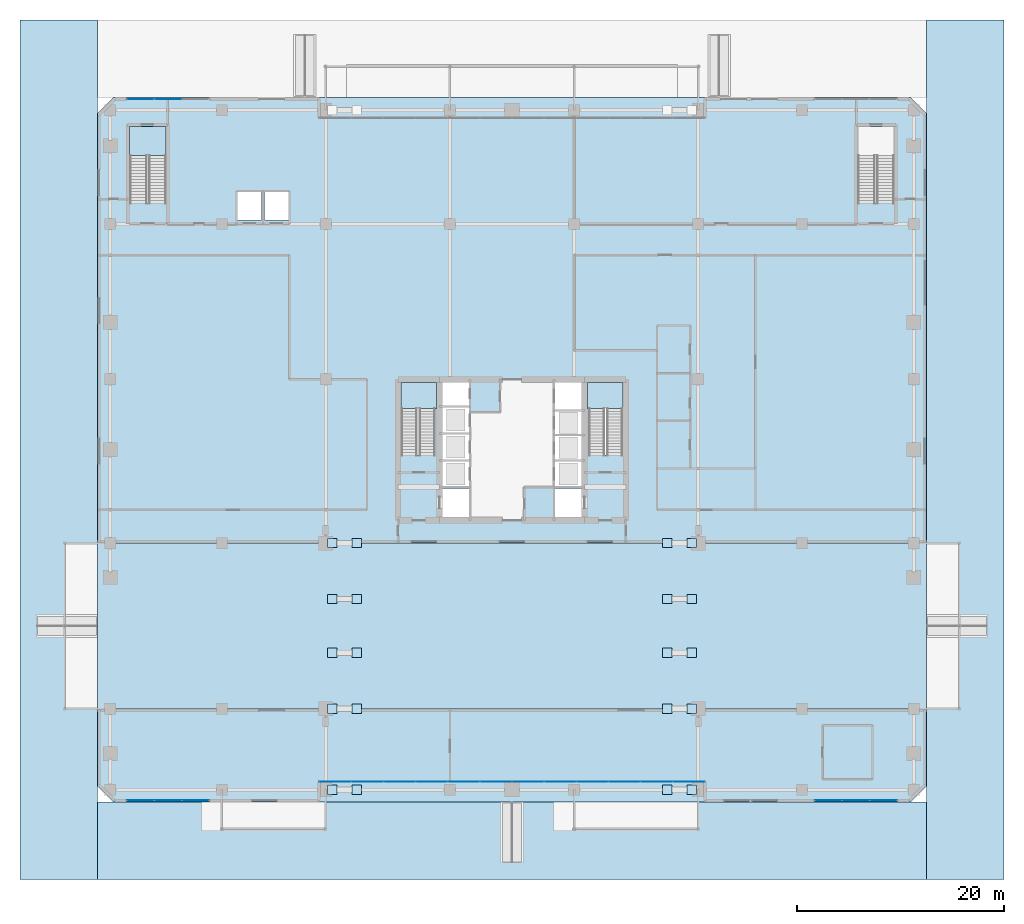
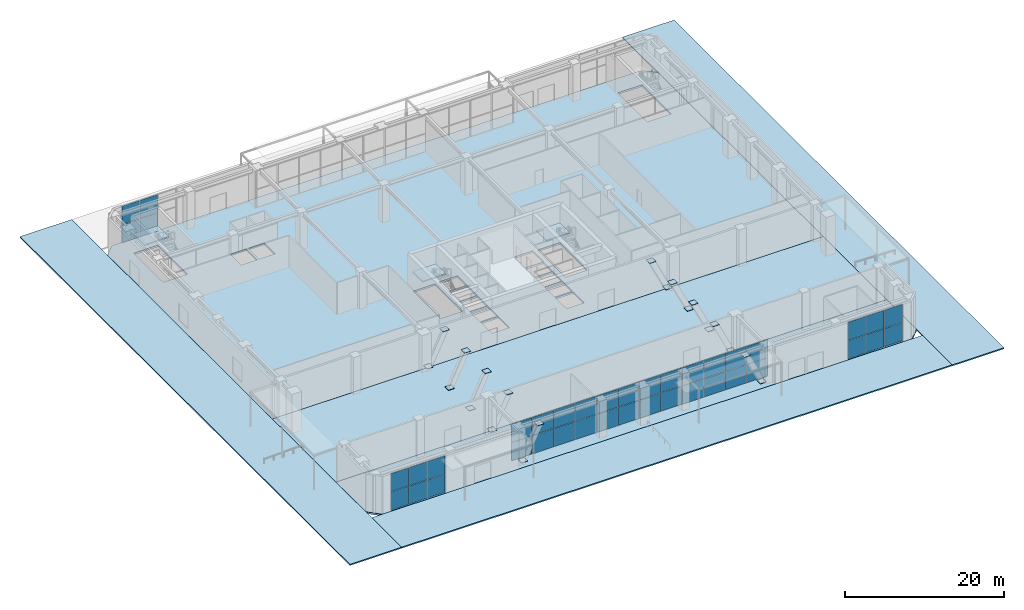
# One storey, part 32 of 49: 60 plates, 9 slabs, 7 elements without a shape of their own.
"""IFC4 building model written with IfcOpenShell, lengths in metres."""

from ifc_helpers import new_model, si_unit, direction, frame, origin, origin_2d, place, context, subcontext, project, spatial, polyline, rectangle, outline, extrude, material, layer, layer_set, type_object, element, aggregate, save


model = new_model("IFC4")

# Units and contexts
model_context = context("Model", 3, precision=1e-05, world=origin(), true_north=direction((0.0, 1.0)))
body_context = subcontext(model_context, "Body", "Model", "MODEL_VIEW")
ifc_project = project(units=[si_unit("LENGTHUNIT", "METRE"), si_unit("AREAUNIT", "SQUARE_METRE"), si_unit("VOLUMEUNIT", "CUBIC_METRE"), si_unit("PLANEANGLEUNIT", "RADIAN"), si_unit("MASSUNIT", "GRAM", prefix="KILO")], contexts=[model_context])

# Site, building, storey
site_placement = place(None, origin())
site = spatial("IfcSite", under=ifc_project, at=site_placement, CompositionType="ELEMENT")
building_placement = place(site_placement, origin())
building = spatial("IfcBuilding", under=site, at=building_placement, Name="Sarneth Arch Tower", CompositionType="ELEMENT")
storey_placement = place(building_placement, origin())
storey = spatial("IfcBuildingStorey", under=building, at=storey_placement, Name="L00", CompositionType="ELEMENT", Elevation=0.0)

# Curtain wall, plates
ifc_material_1 = material(Name="Anodised aluminium Type AA25 and solar-control low-e laminated IGU", Category="aluminium")
ifc_layer_1 = layer(ifc_material_1, 0.199951171875)
ifc_layer_set_1 = layer_set([ifc_layer_1], Name="Anodised aluminium Type AA25 and solar-control low-e laminated IGU")
curtain_wall_type = type_object("IfcCurtainWallType", Name="CW-ARCH-GLAZE", PredefinedType="NOTDEFINED", material=ifc_layer_set_1)
curtain_wall_1_placement = place(storey_placement, origin())
curtain_wall_1 = element("IfcCurtainWall", 1, at=curtain_wall_1_placement, inside=storey, type_object=curtain_wall_type, Name="L00 South parabolic arch portal curtain wall", PredefinedType="NOTDEFINED")
ifc_material_2 = material(Name="Solar-control low-e laminated IGU", Category="glass")
ifc_layer_2 = layer(ifc_material_2, 0.028076171875)
ifc_layer_set_2 = layer_set([ifc_layer_2], Name="Solar-control low-e laminated IGU")
plate_type_1 = type_object("IfcPlateType", Name="CW-PANEL", PredefinedType="CURTAIN_PANEL", material=ifc_layer_set_2)
plate_1_placement = place(storey_placement, frame((30.919189453125, 9.949951171875, 0.06005859375), z_axis=(0.0, 0.0, 1.0), x_axis=(1.0, 0.0, 0.0)))
plate_1 = element("IfcPlate", 2, at=plate_1_placement, type_object=plate_type_1, Name="Curtain wall glazed vision pane CW-L00-S-ARCH/P00-00", PredefinedType="CURTAIN_PANEL", context=body_context, shape_type="SweptSolid", body=[
    extrude(rectangle(XDim=3.018310546875, YDim=0.028076171875, at=origin_2d()), origin(), (0.0, 0.0, 1.0), 2.77001953125),
])
plate_2_placement = place(storey_placement, frame((30.919189453125, 9.949951171875, 2.889892578125), z_axis=(0.0, 0.0, 1.0), x_axis=(1.0, 0.0, 0.0)))
plate_2 = element("IfcPlate", 3, at=plate_2_placement, type_object=plate_type_1, Name="Curtain wall glazed vision pane CW-L00-S-ARCH/P00-01", PredefinedType="CURTAIN_PANEL", context=body_context, shape_type="SweptSolid", body=[
    extrude(rectangle(XDim=3.018310546875, YDim=0.028076171875, at=origin_2d()), origin(), (0.0, 0.0, 1.0), 2.77001953125),
])
plate_3_placement = place(storey_placement, frame((34.012451171875, 9.949951171875, 0.06005859375), z_axis=(0.0, 0.0, 1.0), x_axis=(1.0, 0.0, 0.0)))
plate_3 = element("IfcPlate", 4, at=plate_3_placement, type_object=plate_type_1, Name="Curtain wall glazed vision pane CW-L00-S-ARCH/P01-00", PredefinedType="CURTAIN_PANEL", context=body_context, shape_type="SweptSolid", body=[
    extrude(rectangle(XDim=3.04833984375, YDim=0.028076171875, at=origin_2d()), origin(), (0.0, 0.0, 1.0), 2.77001953125),
])
plate_4_placement = place(storey_placement, frame((34.012451171875, 9.949951171875, 2.889892578125), z_axis=(0.0, 0.0, 1.0), x_axis=(1.0, 0.0, 0.0)))
plate_4 = element("IfcPlate", 5, at=plate_4_placement, type_object=plate_type_1, Name="Curtain wall glazed vision pane CW-L00-S-ARCH/P01-01", PredefinedType="CURTAIN_PANEL", context=body_context, shape_type="SweptSolid", body=[
    extrude(rectangle(XDim=3.04833984375, YDim=0.028076171875, at=origin_2d()), origin(), (0.0, 0.0, 1.0), 2.77001953125),
])
plate_5_placement = place(storey_placement, frame((37.120849609375, 9.949951171875, 0.06005859375), z_axis=(0.0, 0.0, 1.0), x_axis=(1.0, 0.0, 0.0)))
plate_5 = element("IfcPlate", 6, at=plate_5_placement, type_object=plate_type_1, Name="Curtain wall glazed vision pane CW-L00-S-ARCH/P02-00", PredefinedType="CURTAIN_PANEL", context=body_context, shape_type="SweptSolid", body=[
    extrude(rectangle(XDim=3.04833984375, YDim=0.028076171875, at=origin_2d()), origin(), (0.0, 0.0, 1.0), 2.77001953125),
])
plate_6_placement = place(storey_placement, frame((37.120849609375, 9.949951171875, 2.889892578125), z_axis=(0.0, 0.0, 1.0), x_axis=(1.0, 0.0, 0.0)))
plate_6 = element("IfcPlate", 7, at=plate_6_placement, type_object=plate_type_1, Name="Curtain wall glazed vision pane CW-L00-S-ARCH/P02-01", PredefinedType="CURTAIN_PANEL", context=body_context, shape_type="SweptSolid", body=[
    extrude(rectangle(XDim=3.04833984375, YDim=0.028076171875, at=origin_2d()), origin(), (0.0, 0.0, 1.0), 2.77001953125),
])
plate_7_placement = place(storey_placement, frame((40.229248046875, 9.949951171875, 0.06005859375), z_axis=(0.0, 0.0, 1.0), x_axis=(1.0, 0.0, 0.0)))
plate_7 = element("IfcPlate", 8, at=plate_7_placement, type_object=plate_type_1, Name="Curtain wall glazed vision pane CW-L00-S-ARCH/P03-00", PredefinedType="CURTAIN_PANEL", context=body_context, shape_type="SweptSolid", body=[
    extrude(rectangle(XDim=3.04833984375, YDim=0.028076171875, at=origin_2d()), origin(), (0.0, 0.0, 1.0), 2.77001953125),
])
plate_8_placement = place(storey_placement, frame((40.229248046875, 9.949951171875, 2.889892578125), z_axis=(0.0, 0.0, 1.0), x_axis=(1.0, 0.0, 0.0)))
plate_8 = element("IfcPlate", 9, at=plate_8_placement, type_object=plate_type_1, Name="Curtain wall glazed vision pane CW-L00-S-ARCH/P03-01", PredefinedType="CURTAIN_PANEL", context=body_context, shape_type="SweptSolid", body=[
    extrude(rectangle(XDim=3.04833984375, YDim=0.028076171875, at=origin_2d()), origin(), (0.0, 0.0, 1.0), 2.77001953125),
])
plate_9_placement = place(storey_placement, frame((43.33740234375, 9.949951171875, 0.06005859375), z_axis=(0.0, 0.0, 1.0), x_axis=(1.0, 0.0, 0.0)))
plate_9 = element("IfcPlate", 10, at=plate_9_placement, type_object=plate_type_1, Name="Curtain wall glazed vision pane CW-L00-S-ARCH/P04-00", PredefinedType="CURTAIN_PANEL", context=body_context, shape_type="SweptSolid", body=[
    extrude(rectangle(XDim=3.04833984375, YDim=0.028076171875, at=origin_2d()), origin(), (0.0, 0.0, 1.0), 2.77001953125),
])
plate_10_placement = place(storey_placement, frame((43.33740234375, 9.949951171875, 2.889892578125), z_axis=(0.0, 0.0, 1.0), x_axis=(1.0, 0.0, 0.0)))
plate_10 = element("IfcPlate", 11, at=plate_10_placement, type_object=plate_type_1, Name="Curtain wall glazed vision pane CW-L00-S-ARCH/P04-01", PredefinedType="CURTAIN_PANEL", context=body_context, shape_type="SweptSolid", body=[
    extrude(rectangle(XDim=3.04833984375, YDim=0.028076171875, at=origin_2d()), origin(), (0.0, 0.0, 1.0), 2.77001953125),
])
plate_11_placement = place(storey_placement, frame((46.44580078125, 9.949951171875, 0.06005859375), z_axis=(0.0, 0.0, 1.0), x_axis=(1.0, 0.0, 0.0)))
plate_11 = element("IfcPlate", 12, at=plate_11_placement, type_object=plate_type_1, Name="Curtain wall glazed vision pane CW-L00-S-ARCH/P05-00", PredefinedType="CURTAIN_PANEL", context=body_context, shape_type="SweptSolid", body=[
    extrude(rectangle(XDim=3.04833984375, YDim=0.028076171875, at=origin_2d()), origin(), (0.0, 0.0, 1.0), 2.77001953125),
])
plate_12_placement = place(storey_placement, frame((46.44580078125, 9.949951171875, 2.889892578125), z_axis=(0.0, 0.0, 1.0), x_axis=(1.0, 0.0, 0.0)))
plate_12 = element("IfcPlate", 13, at=plate_12_placement, type_object=plate_type_1, Name="Curtain wall glazed vision pane CW-L00-S-ARCH/P05-01", PredefinedType="CURTAIN_PANEL", context=body_context, shape_type="SweptSolid", body=[
    extrude(rectangle(XDim=3.04833984375, YDim=0.028076171875, at=origin_2d()), origin(), (0.0, 0.0, 1.0), 2.77001953125),
])
plate_13_placement = place(storey_placement, frame((49.55419921875, 9.949951171875, 0.06005859375), z_axis=(0.0, 0.0, 1.0), x_axis=(1.0, 0.0, 0.0)))
plate_13 = element("IfcPlate", 14, at=plate_13_placement, type_object=plate_type_1, Name="Curtain wall glazed vision pane CW-L00-S-ARCH/P06-00", PredefinedType="CURTAIN_PANEL", context=body_context, shape_type="SweptSolid", body=[
    extrude(rectangle(XDim=3.04833984375, YDim=0.028076171875, at=origin_2d()), origin(), (0.0, 0.0, 1.0), 2.77001953125),
])
plate_14_placement = place(storey_placement, frame((49.55419921875, 9.949951171875, 2.889892578125), z_axis=(0.0, 0.0, 1.0), x_axis=(1.0, 0.0, 0.0)))
plate_14 = element("IfcPlate", 15, at=plate_14_placement, type_object=plate_type_1, Name="Curtain wall glazed vision pane CW-L00-S-ARCH/P06-01", PredefinedType="CURTAIN_PANEL", context=body_context, shape_type="SweptSolid", body=[
    extrude(rectangle(XDim=3.04833984375, YDim=0.028076171875, at=origin_2d()), origin(), (0.0, 0.0, 1.0), 2.77001953125),
])
plate_15_placement = place(storey_placement, frame((52.66259765625, 9.949951171875, 0.06005859375), z_axis=(0.0, 0.0, 1.0), x_axis=(1.0, 0.0, 0.0)))
plate_15 = element("IfcPlate", 16, at=plate_15_placement, type_object=plate_type_1, Name="Curtain wall glazed vision pane CW-L00-S-ARCH/P07-00", PredefinedType="CURTAIN_PANEL", context=body_context, shape_type="SweptSolid", body=[
    extrude(rectangle(XDim=3.04833984375, YDim=0.028076171875, at=origin_2d()), origin(), (0.0, 0.0, 1.0), 2.77001953125),
])
plate_16_placement = place(storey_placement, frame((52.66259765625, 9.949951171875, 2.889892578125), z_axis=(0.0, 0.0, 1.0), x_axis=(1.0, 0.0, 0.0)))
plate_16 = element("IfcPlate", 17, at=plate_16_placement, type_object=plate_type_1, Name="Curtain wall glazed vision pane CW-L00-S-ARCH/P07-01", PredefinedType="CURTAIN_PANEL", context=body_context, shape_type="SweptSolid", body=[
    extrude(rectangle(XDim=3.04833984375, YDim=0.028076171875, at=origin_2d()), origin(), (0.0, 0.0, 1.0), 2.77001953125),
])
plate_17_placement = place(storey_placement, frame((55.770751953125, 9.949951171875, 0.06005859375), z_axis=(0.0, 0.0, 1.0), x_axis=(1.0, 0.0, 0.0)))
plate_17 = element("IfcPlate", 18, at=plate_17_placement, type_object=plate_type_1, Name="Curtain wall glazed vision pane CW-L00-S-ARCH/P08-00", PredefinedType="CURTAIN_PANEL", context=body_context, shape_type="SweptSolid", body=[
    extrude(rectangle(XDim=3.04833984375, YDim=0.028076171875, at=origin_2d()), origin(), (0.0, 0.0, 1.0), 2.77001953125),
])
plate_18_placement = place(storey_placement, frame((55.770751953125, 9.949951171875, 2.889892578125), z_axis=(0.0, 0.0, 1.0), x_axis=(1.0, 0.0, 0.0)))
plate_18 = element("IfcPlate", 19, at=plate_18_placement, type_object=plate_type_1, Name="Curtain wall glazed vision pane CW-L00-S-ARCH/P08-01", PredefinedType="CURTAIN_PANEL", context=body_context, shape_type="SweptSolid", body=[
    extrude(rectangle(XDim=3.04833984375, YDim=0.028076171875, at=origin_2d()), origin(), (0.0, 0.0, 1.0), 2.77001953125),
])
plate_19_placement = place(storey_placement, frame((58.879150390625, 9.949951171875, 0.06005859375), z_axis=(0.0, 0.0, 1.0), x_axis=(1.0, 0.0, 0.0)))
plate_19 = element("IfcPlate", 20, at=plate_19_placement, type_object=plate_type_1, Name="Curtain wall glazed vision pane CW-L00-S-ARCH/P09-00", PredefinedType="CURTAIN_PANEL", context=body_context, shape_type="SweptSolid", body=[
    extrude(rectangle(XDim=3.04833984375, YDim=0.028076171875, at=origin_2d()), origin(), (0.0, 0.0, 1.0), 2.77001953125),
])
plate_20_placement = place(storey_placement, frame((58.879150390625, 9.949951171875, 2.889892578125), z_axis=(0.0, 0.0, 1.0), x_axis=(1.0, 0.0, 0.0)))
plate_20 = element("IfcPlate", 21, at=plate_20_placement, type_object=plate_type_1, Name="Curtain wall glazed vision pane CW-L00-S-ARCH/P09-01", PredefinedType="CURTAIN_PANEL", context=body_context, shape_type="SweptSolid", body=[
    extrude(rectangle(XDim=3.04833984375, YDim=0.028076171875, at=origin_2d()), origin(), (0.0, 0.0, 1.0), 2.77001953125),
])
plate_21_placement = place(storey_placement, frame((61.987548828125, 9.949951171875, 0.06005859375), z_axis=(0.0, 0.0, 1.0), x_axis=(1.0, 0.0, 0.0)))
plate_21 = element("IfcPlate", 22, at=plate_21_placement, type_object=plate_type_1, Name="Curtain wall glazed vision pane CW-L00-S-ARCH/P10-00", PredefinedType="CURTAIN_PANEL", context=body_context, shape_type="SweptSolid", body=[
    extrude(rectangle(XDim=3.04833984375, YDim=0.028076171875, at=origin_2d()), origin(), (0.0, 0.0, 1.0), 2.77001953125),
])
plate_22_placement = place(storey_placement, frame((61.987548828125, 9.949951171875, 2.889892578125), z_axis=(0.0, 0.0, 1.0), x_axis=(1.0, 0.0, 0.0)))
plate_22 = element("IfcPlate", 23, at=plate_22_placement, type_object=plate_type_1, Name="Curtain wall glazed vision pane CW-L00-S-ARCH/P10-01", PredefinedType="CURTAIN_PANEL", context=body_context, shape_type="SweptSolid", body=[
    extrude(rectangle(XDim=3.04833984375, YDim=0.028076171875, at=origin_2d()), origin(), (0.0, 0.0, 1.0), 2.77001953125),
])
plate_23_placement = place(storey_placement, frame((65.080810546875, 9.949951171875, 0.06005859375), z_axis=(0.0, 0.0, 1.0), x_axis=(1.0, 0.0, 0.0)))
plate_23 = element("IfcPlate", 24, at=plate_23_placement, type_object=plate_type_1, Name="Curtain wall glazed vision pane CW-L00-S-ARCH/P11-00", PredefinedType="CURTAIN_PANEL", context=body_context, shape_type="SweptSolid", body=[
    extrude(rectangle(XDim=3.018310546875, YDim=0.028076171875, at=origin_2d()), origin(), (0.0, 0.0, 1.0), 2.77001953125),
])
plate_24_placement = place(storey_placement, frame((65.080810546875, 9.949951171875, 2.889892578125), z_axis=(0.0, 0.0, 1.0), x_axis=(1.0, 0.0, 0.0)))
plate_24 = element("IfcPlate", 25, at=plate_24_placement, type_object=plate_type_1, Name="Curtain wall glazed vision pane CW-L00-S-ARCH/P11-01", PredefinedType="CURTAIN_PANEL", context=body_context, shape_type="SweptSolid", body=[
    extrude(rectangle(XDim=3.018310546875, YDim=0.028076171875, at=origin_2d()), origin(), (0.0, 0.0, 1.0), 2.77001953125),
])
aggregate(curtain_wall_1, [plate_1, plate_2, plate_3, plate_4, plate_5, plate_6, plate_7, plate_8, plate_9, plate_10, plate_11, plate_12, plate_13, plate_14, plate_15, plate_16, plate_17, plate_18, plate_19, plate_20, plate_21, plate_22, plate_23, plate_24])

curtain_wall_2_placement = place(storey_placement, origin())
curtain_wall_2 = element("IfcCurtainWall", 26, at=curtain_wall_2_placement, inside=storey, type_object=curtain_wall_type, Name="L00 Podium bay curtain wall NW", PredefinedType="NOTDEFINED")
plate_25_placement = place(storey_placement, frame((14.800048828125, 75.85009765625, 0.06005859375), z_axis=(0.0, 0.0, 1.0), x_axis=(-1.0, 0.0, 0.0)))
plate_25 = element("IfcPlate", 27, at=plate_25_placement, type_object=plate_type_1, Name="Curtain wall glazed vision pane CW-L00-CORNER-NW/P01-00", PredefinedType="CURTAIN_PANEL", context=body_context, shape_type="SweptSolid", body=[
    extrude(rectangle(XDim=2.606689453125, YDim=0.028076171875, at=origin_2d()), origin(), (0.0, 0.0, 1.0), 2.77001953125),
])
plate_26_placement = place(storey_placement, frame((14.800048828125, 75.85009765625, 2.889892578125), z_axis=(0.0, 0.0, 1.0), x_axis=(-1.0, 0.0, 0.0)))
plate_26 = element("IfcPlate", 28, at=plate_26_placement, type_object=plate_type_1, Name="Curtain wall glazed vision pane CW-L00-CORNER-NW/P01-01", PredefinedType="CURTAIN_PANEL", context=body_context, shape_type="SweptSolid", body=[
    extrude(rectangle(XDim=2.606689453125, YDim=0.028076171875, at=origin_2d()), origin(), (0.0, 0.0, 1.0), 2.77001953125),
])
plate_27_placement = place(storey_placement, frame((12.1484375, 75.85009765625, 0.06005859375), z_axis=(0.0, 0.0, 1.0), x_axis=(-1.0, 0.0, 0.0)))
plate_27 = element("IfcPlate", 29, at=plate_27_placement, type_object=plate_type_1, Name="Curtain wall glazed vision pane CW-L00-CORNER-NW/P02-00", PredefinedType="CURTAIN_PANEL", context=body_context, shape_type="SweptSolid", body=[
    extrude(rectangle(XDim=2.57666015625, YDim=0.028076171875, at=origin_2d()), origin(), (0.0, 0.0, 1.0), 2.77001953125),
])
plate_28_placement = place(storey_placement, frame((12.1484375, 75.85009765625, 2.889892578125), z_axis=(0.0, 0.0, 1.0), x_axis=(-1.0, 0.0, 0.0)))
plate_28 = element("IfcPlate", 30, at=plate_28_placement, type_object=plate_type_1, Name="Curtain wall glazed vision pane CW-L00-CORNER-NW/P02-01", PredefinedType="CURTAIN_PANEL", context=body_context, shape_type="SweptSolid", body=[
    extrude(rectangle(XDim=2.57666015625, YDim=0.028076171875, at=origin_2d()), origin(), (0.0, 0.0, 1.0), 2.77001953125),
])
aggregate(curtain_wall_2, [plate_25, plate_26, plate_27, plate_28])

curtain_wall_3_placement = place(storey_placement, origin())
curtain_wall_3 = element("IfcCurtainWall", 31, at=curtain_wall_3_placement, inside=storey, type_object=curtain_wall_type, Name="L00 Podium bay curtain wall SW", PredefinedType="NOTDEFINED")
plate_29_placement = place(storey_placement, frame((12.1484375, 8.14990234375, 0.06005859375), z_axis=(0.0, 0.0, 1.0), x_axis=(1.0, 0.0, 0.0)))
plate_29 = element("IfcPlate", 32, at=plate_29_placement, type_object=plate_type_1, Name="Curtain wall glazed vision pane CW-L00-CORNER-SW/P00-00", PredefinedType="CURTAIN_PANEL", context=body_context, shape_type="SweptSolid", body=[
    extrude(rectangle(XDim=2.57666015625, YDim=0.028076171875, at=origin_2d()), origin(), (0.0, 0.0, 1.0), 2.77001953125),
])
plate_30_placement = place(storey_placement, frame((12.1484375, 8.14990234375, 2.889892578125), z_axis=(0.0, 0.0, 1.0), x_axis=(1.0, 0.0, 0.0)))
plate_30 = element("IfcPlate", 33, at=plate_30_placement, type_object=plate_type_1, Name="Curtain wall glazed vision pane CW-L00-CORNER-SW/P00-01", PredefinedType="CURTAIN_PANEL", context=body_context, shape_type="SweptSolid", body=[
    extrude(rectangle(XDim=2.57666015625, YDim=0.028076171875, at=origin_2d()), origin(), (0.0, 0.0, 1.0), 2.77001953125),
])
plate_31_placement = place(storey_placement, frame((14.800048828125, 8.14990234375, 0.06005859375), z_axis=(0.0, 0.0, 1.0), x_axis=(1.0, 0.0, 0.0)))
plate_31 = element("IfcPlate", 34, at=plate_31_placement, type_object=plate_type_1, Name="Curtain wall glazed vision pane CW-L00-CORNER-SW/P01-00", PredefinedType="CURTAIN_PANEL", context=body_context, shape_type="SweptSolid", body=[
    extrude(rectangle(XDim=2.606689453125, YDim=0.028076171875, at=origin_2d()), origin(), (0.0, 0.0, 1.0), 2.77001953125),
])
plate_32_placement = place(storey_placement, frame((14.800048828125, 8.14990234375, 2.889892578125), z_axis=(0.0, 0.0, 1.0), x_axis=(1.0, 0.0, 0.0)))
plate_32 = element("IfcPlate", 35, at=plate_32_placement, type_object=plate_type_1, Name="Curtain wall glazed vision pane CW-L00-CORNER-SW/P01-01", PredefinedType="CURTAIN_PANEL", context=body_context, shape_type="SweptSolid", body=[
    extrude(rectangle(XDim=2.606689453125, YDim=0.028076171875, at=origin_2d()), origin(), (0.0, 0.0, 1.0), 2.77001953125),
])
plate_33_placement = place(storey_placement, frame((17.45166015625, 8.14990234375, 0.06005859375), z_axis=(0.0, 0.0, 1.0), x_axis=(1.0, 0.0, 0.0)))
plate_33 = element("IfcPlate", 36, at=plate_33_placement, type_object=plate_type_1, Name="Curtain wall glazed vision pane CW-L00-CORNER-SW/P02-00", PredefinedType="CURTAIN_PANEL", context=body_context, shape_type="SweptSolid", body=[
    extrude(rectangle(XDim=2.57666015625, YDim=0.028076171875, at=origin_2d()), origin(), (0.0, 0.0, 1.0), 2.77001953125),
])
plate_34_placement = place(storey_placement, frame((17.45166015625, 8.14990234375, 2.889892578125), z_axis=(0.0, 0.0, 1.0), x_axis=(1.0, 0.0, 0.0)))
plate_34 = element("IfcPlate", 37, at=plate_34_placement, type_object=plate_type_1, Name="Curtain wall glazed vision pane CW-L00-CORNER-SW/P02-01", PredefinedType="CURTAIN_PANEL", context=body_context, shape_type="SweptSolid", body=[
    extrude(rectangle(XDim=2.57666015625, YDim=0.028076171875, at=origin_2d()), origin(), (0.0, 0.0, 1.0), 2.77001953125),
])
aggregate(curtain_wall_3, [plate_29, plate_30, plate_31, plate_32, plate_33, plate_34])

curtain_wall_4_placement = place(storey_placement, origin())
curtain_wall_4 = element("IfcCurtainWall", 38, at=curtain_wall_4_placement, inside=storey, type_object=curtain_wall_type, Name="L00 Podium bay curtain wall SE", PredefinedType="NOTDEFINED")
plate_35_placement = place(storey_placement, frame((78.54833984375, 8.14990234375, 0.06005859375), z_axis=(0.0, 0.0, 1.0), x_axis=(1.0, 0.0, 0.0)))
plate_35 = element("IfcPlate", 39, at=plate_35_placement, type_object=plate_type_1, Name="Curtain wall glazed vision pane CW-L00-CORNER-SE/P00-00", PredefinedType="CURTAIN_PANEL", context=body_context, shape_type="SweptSolid", body=[
    extrude(rectangle(XDim=2.57666015625, YDim=0.028076171875, at=origin_2d()), origin(), (0.0, 0.0, 1.0), 2.77001953125),
])
plate_36_placement = place(storey_placement, frame((78.54833984375, 8.14990234375, 2.889892578125), z_axis=(0.0, 0.0, 1.0), x_axis=(1.0, 0.0, 0.0)))
plate_36 = element("IfcPlate", 40, at=plate_36_placement, type_object=plate_type_1, Name="Curtain wall glazed vision pane CW-L00-CORNER-SE/P00-01", PredefinedType="CURTAIN_PANEL", context=body_context, shape_type="SweptSolid", body=[
    extrude(rectangle(XDim=2.57666015625, YDim=0.028076171875, at=origin_2d()), origin(), (0.0, 0.0, 1.0), 2.77001953125),
])
plate_37_placement = place(storey_placement, frame((81.199951171875, 8.14990234375, 0.06005859375), z_axis=(0.0, 0.0, 1.0), x_axis=(1.0, 0.0, 0.0)))
plate_37 = element("IfcPlate", 41, at=plate_37_placement, type_object=plate_type_1, Name="Curtain wall glazed vision pane CW-L00-CORNER-SE/P01-00", PredefinedType="CURTAIN_PANEL", context=body_context, shape_type="SweptSolid", body=[
    extrude(rectangle(XDim=2.606689453125, YDim=0.028076171875, at=origin_2d()), origin(), (0.0, 0.0, 1.0), 2.77001953125),
])
plate_38_placement = place(storey_placement, frame((81.199951171875, 8.14990234375, 2.889892578125), z_axis=(0.0, 0.0, 1.0), x_axis=(1.0, 0.0, 0.0)))
plate_38 = element("IfcPlate", 42, at=plate_38_placement, type_object=plate_type_1, Name="Curtain wall glazed vision pane CW-L00-CORNER-SE/P01-01", PredefinedType="CURTAIN_PANEL", context=body_context, shape_type="SweptSolid", body=[
    extrude(rectangle(XDim=2.606689453125, YDim=0.028076171875, at=origin_2d()), origin(), (0.0, 0.0, 1.0), 2.77001953125),
])
plate_39_placement = place(storey_placement, frame((83.8515625, 8.14990234375, 0.06005859375), z_axis=(0.0, 0.0, 1.0), x_axis=(1.0, 0.0, 0.0)))
plate_39 = element("IfcPlate", 43, at=plate_39_placement, type_object=plate_type_1, Name="Curtain wall glazed vision pane CW-L00-CORNER-SE/P02-00", PredefinedType="CURTAIN_PANEL", context=body_context, shape_type="SweptSolid", body=[
    extrude(rectangle(XDim=2.57666015625, YDim=0.028076171875, at=origin_2d()), origin(), (0.0, 0.0, 1.0), 2.77001953125),
])
plate_40_placement = place(storey_placement, frame((83.8515625, 8.14990234375, 2.889892578125), z_axis=(0.0, 0.0, 1.0), x_axis=(1.0, 0.0, 0.0)))
plate_40 = element("IfcPlate", 44, at=plate_40_placement, type_object=plate_type_1, Name="Curtain wall glazed vision pane CW-L00-CORNER-SE/P02-01", PredefinedType="CURTAIN_PANEL", context=body_context, shape_type="SweptSolid", body=[
    extrude(rectangle(XDim=2.57666015625, YDim=0.028076171875, at=origin_2d()), origin(), (0.0, 0.0, 1.0), 2.77001953125),
])
aggregate(curtain_wall_4, [plate_35, plate_36, plate_37, plate_38, plate_39, plate_40])

# Plates
ifc_material_3 = material(Name="Steel S355", Category="steel")
ifc_layer_3 = layer(ifc_material_3, 0.035888671875)
ifc_layer_set_3 = layer_set([ifc_layer_3], Name="Steel S355")
plate_type_2 = type_object("IfcPlateType", Name="PLT-GUSSET-30", PredefinedType="SHEET", material=ifc_layer_set_3)
for number, where, z_axis, x_axis, name in (
    (45, (30.64990234375, 9.199951171875, 0.1318359375), (0.0, 0.0, 1.0), (1.0, 0.0, 0.0), "Steel end cap plate GP-1"),
    (46, (33.0, 9.199951171875, 5.01318359375), (0.0, 0.0, 1.0), (-1.0, 0.0, 0.0), "Steel end cap plate GP-1"),
    (47, (63.0, 9.199951171875, 5.01318359375), (0.0, 0.0, 1.0), (-1.0, 0.0, 0.0), "Steel end cap plate GP-1"),
    (48, (65.35009765625, 9.199951171875, 0.1318359375), (0.0, 0.0, 1.0), (-1.0, 0.0, 0.0), "Steel end cap plate GP-1"),
    (49, (30.64990234375, 17.0, 0.1318359375), (0.0, 0.0, 1.0), (1.0, 0.0, 0.0), "Steel end cap plate GP-1"),
    (50, (33.0, 17.0, 5.01318359375), (0.0, 0.0, 1.0), (-1.0, 0.0, 0.0), "Steel end cap plate GP-1"),
    (51, (63.0, 17.0, 5.01318359375), (0.0, 0.0, 1.0), (-1.0, 0.0, 0.0), "Steel end cap plate GP-1"),
    (52, (65.35009765625, 17.0, 0.1318359375), (0.0, 0.0, 1.0), (-1.0, 0.0, 0.0), "Steel end cap plate GP-1"),
    (53, (30.64990234375, 22.39990234375, 0.1318359375), (0.0, 0.0, 1.0), (1.0, 0.0, 0.0), "Steel end cap plate GP-1"),
    (54, (33.0, 22.39990234375, 5.01318359375), (0.0, 0.0, 1.0), (-1.0, 0.0, 0.0), "Steel end cap plate GP-1"),
    (55, (63.0, 22.39990234375, 5.01318359375), (0.0, 0.0, 1.0), (-1.0, 0.0, 0.0), "Steel end cap plate GP-1"),
    (56, (65.35009765625, 22.39990234375, 0.1318359375), (0.0, 0.0, 1.0), (-1.0, 0.0, 0.0), "Steel end cap plate GP-1"),
    (57, (30.64990234375, 27.60009765625, 0.1318359375), (0.0, 0.0, 1.0), (1.0, 0.0, 0.0), "Steel end cap plate GP-1"),
    (58, (33.0, 27.60009765625, 5.01318359375), (0.0, 0.0, 1.0), (-1.0, 0.0, 0.0), "Steel end cap plate GP-1"),
    (59, (63.0, 27.60009765625, 5.01318359375), (0.0, 0.0, 1.0), (-1.0, 0.0, 0.0), "Steel end cap plate GP-1"),
    (60, (65.35009765625, 27.60009765625, 0.1318359375), (0.0, 0.0, 1.0), (-1.0, 0.0, 0.0), "Steel end cap plate GP-1"),
    (61, (30.64990234375, 33.0, 0.1318359375), (0.0, 0.0, 1.0), (1.0, 0.0, 0.0), "Steel end cap plate GP-1"),
    (62, (33.0, 33.0, 5.01318359375), (0.0, 0.0, 1.0), (-1.0, 0.0, 0.0), "Steel end cap plate GP-1"),
    (63, (63.0, 33.0, 5.01318359375), (0.0, 0.0, 1.0), (-1.0, 0.0, 0.0), "Steel end cap plate GP-1"),
    (64, (65.35009765625, 33.0, 0.1318359375), (0.0, 0.0, 1.0), (-1.0, 0.0, 0.0), "Steel end cap plate GP-1"),
):
    element("IfcPlate", number, at=place(storey_placement, frame(where, z_axis=z_axis, x_axis=x_axis)), inside=storey, type_object=plate_type_2, Name=name, PredefinedType="SHEET", context=body_context, shape_type="SweptSolid", body=[
        extrude(rectangle(XDim=0.89990234375, YDim=0.89990234375, at=origin_2d()), origin(), (0.0, 0.0, 1.0), 0.035888671875),
    ])

# Stair, slab
ifc_material_4 = material(Name="Concrete C50/60", Category="concrete")
stair_type_1 = type_object("IfcStairType", Name="STAIR-CORE-RC", PredefinedType="HALF_TURN_STAIR", material=ifc_material_4)
stair_1_placement = place(storey_placement, origin())
stair_1 = element("IfcStair", 65, at=stair_1_placement, inside=storey, type_object=stair_type_1, Name="L00 Core Exit Stair 1", PredefinedType="HALF_TURN_STAIR")
ifc_material_5 = material(Name="Concrete C50/60", Category="concrete")
ifc_layer_4 = layer(ifc_material_5, 0.199951171875)
ifc_layer_set_4 = layer_set([ifc_layer_4], Name="Concrete C50/60")
slab_type_1 = type_object("IfcSlabType", Name="SLAB-LANDING-200", PredefinedType="LANDING", material=ifc_layer_set_4)
slab_1_placement = place(storey_placement, frame((0.0, 0.0, 2.800048828125)))
slab_1 = element("IfcSlab", 66, at=slab_1_placement, type_object=slab_type_1, Name="ST-1 landing 1", PredefinedType="LANDING", context=body_context, shape_type="SweptSolid", body=[
    extrude(outline(polyline([(37.300048828125, 45.97998046875), (40.699951171875, 45.97998046875), (40.699951171875, 48.5), (37.300048828125, 48.5), (37.300048828125, 45.97998046875)])), origin(), (0.0, 0.0, 1.0), 0.199951171875),
])
aggregate(stair_1, [slab_1])

stair_2_placement = place(storey_placement, origin())
stair_2 = element("IfcStair", 67, at=stair_2_placement, inside=storey, type_object=stair_type_1, Name="L00 Core Exit Stair 2", PredefinedType="HALF_TURN_STAIR")
slab_2_placement = place(storey_placement, frame((0.0, 0.0, 2.800048828125)))
slab_2 = element("IfcSlab", 68, at=slab_2_placement, type_object=slab_type_1, Name="ST-2 landing 1", PredefinedType="LANDING", context=body_context, shape_type="SweptSolid", body=[
    extrude(outline(polyline([(55.300048828125, 45.97998046875), (58.699951171875, 45.97998046875), (58.699951171875, 48.5), (55.300048828125, 48.5), (55.300048828125, 45.97998046875)])), origin(), (0.0, 0.0, 1.0), 0.199951171875),
])
aggregate(stair_2, [slab_2])

ifc_material_6 = material(Name="Concrete C50/60", Category="concrete")
stair_type_2 = type_object("IfcStairType", Name="STAIR-PODIUM-RC", PredefinedType="HALF_TURN_STAIR", material=ifc_material_6)
stair_3_placement = place(storey_placement, origin())
stair_3 = element("IfcStair", 69, at=stair_3_placement, inside=storey, type_object=stair_type_2, Name="L00 Podium Exit Stair P1", PredefinedType="HALF_TURN_STAIR")
slab_3_placement = place(storey_placement, frame((0.0, 0.0, 2.800048828125)))
slab_3 = element("IfcSlab", 70, at=slab_3_placement, type_object=slab_type_1, Name="ST-P1 landing 1", PredefinedType="LANDING", context=body_context, shape_type="SweptSolid", body=[
    extrude(outline(polyline([(11.074951171875, 70.409912109375), (14.574951171875, 70.409912109375), (14.574951171875, 73.22509765625), (11.074951171875, 73.22509765625), (11.074951171875, 70.409912109375)])), origin(), (0.0, 0.0, 1.0), 0.199951171875),
])
aggregate(stair_3, [slab_3])

# Slabs
ifc_material_7 = material(Name="Granite stone on Concrete C40/50 bed", Category="masonry")
ifc_layer_5 = layer(ifc_material_7, 0.179931640625)
ifc_layer_set_5 = layer_set([ifc_layer_5], Name="Granite stone on Concrete C40/50 bed")
slab_type_2 = type_object("IfcSlabType", Name="SLAB-PAVING-180", PredefinedType="USERDEFINED", material=ifc_layer_set_5)
slab_4_placement = place(storey_placement, frame((0.0, 0.0, -0.179931640625)))
element("IfcSlab", 71, at=slab_4_placement, inside=storey, type_object=slab_type_2, Name="Public plaza paving SLAB-PAV-EAST", ObjectType="PAVING", PredefinedType="USERDEFINED", context=body_context, shape_type="SweptSolid", body=[
    extrude(outline(polyline([(0.5, 0.5), (8.0, 0.5), (8.0, 83.5), (0.5, 83.5), (0.5, 0.5)])), origin(), (0.0, 0.0, 1.0), 0.179931640625),
])
slab_5_placement = place(storey_placement, frame((0.0, 0.0, -0.179931640625)))
element("IfcSlab", 72, at=slab_5_placement, inside=storey, type_object=slab_type_2, Name="Public plaza paving SLAB-PAV-WEST", ObjectType="PAVING", PredefinedType="USERDEFINED", context=body_context, shape_type="SweptSolid", body=[
    extrude(outline(polyline([(88.0, 0.5), (95.5, 0.5), (95.5, 83.5), (88.0, 83.5), (88.0, 0.5)])), origin(), (0.0, 0.0, 1.0), 0.179931640625),
])
slab_6_placement = place(storey_placement, frame((0.0, 0.0, -0.179931640625)))
element("IfcSlab", 73, at=slab_6_placement, inside=storey, type_object=slab_type_2, Name="Public plaza paving SLAB-PAV-SOUTH", ObjectType="PAVING", PredefinedType="USERDEFINED", context=body_context, shape_type="SweptSolid", body=[
    extrude(outline(polyline([(8.0, 0.5), (88.0, 0.5), (88.0, 8.0), (8.0, 8.0), (8.0, 0.5)])), origin(), (0.0, 0.0, 1.0), 0.179931640625),
])
ifc_material_8 = material(Name="Concrete C50/60", Category="concrete")
ifc_layer_6 = layer(ifc_material_8, 0.280029296875)
ifc_layer_set_6 = layer_set([ifc_layer_6], Name="Concrete C50/60")
slab_type_3 = type_object("IfcSlabType", Name="SLAB-PODIUM-280", PredefinedType="FLOOR", material=ifc_layer_set_6)
slab_7_placement = place(storey_placement, frame((0.0, 0.0, -0.280029296875)))
element("IfcSlab", 74, at=slab_7_placement, inside=storey, type_object=slab_type_3, Name="L00 Through-arch structural plaza slab", PredefinedType="FLOOR", context=body_context, shape_type="SweptSolid", body=[
    extrude(outline(polyline([(8.0, 17.0), (88.0, 17.0), (88.0, 33.0), (8.0, 33.0), (8.0, 17.0)])), origin(), (0.0, 0.0, 1.0), 0.280029296875),
])
slab_8_placement = place(storey_placement, frame((0.0, 0.0, -0.280029296875)))
element("IfcSlab", 75, at=slab_8_placement, inside=storey, type_object=slab_type_3, Name="L00 North podium floor slab", PredefinedType="FLOOR", context=body_context, shape_type="SweptSolid", body=[
    extrude(outline(polyline([(8.0, 33.0), (88.0, 33.0), (88.0, 74.5), (86.5, 76.0), (9.5, 76.0), (8.0, 74.5), (8.0, 33.0)]), holes=[polyline([(37.35009765625, 41.489990234375), (40.550048828125, 41.489990234375), (40.550048828125, 48.39990234375), (37.35009765625, 48.39990234375), (37.35009765625, 41.489990234375)]), polyline([(55.449951171875, 41.489990234375), (58.64990234375, 41.489990234375), (58.64990234375, 48.39990234375), (55.449951171875, 48.39990234375), (55.449951171875, 41.489990234375)]), polyline([(11.10009765625, 65.840087890625), (14.60009765625, 65.840087890625), (14.60009765625, 73.199951171875), (11.10009765625, 73.199951171875), (11.10009765625, 65.840087890625)]), polyline([(81.39990234375, 65.840087890625), (84.89990234375, 65.840087890625), (84.89990234375, 73.199951171875), (81.39990234375, 73.199951171875), (81.39990234375, 65.840087890625)]), polyline([(41.199951171875, 46.25), (43.85009765625, 46.25), (43.85009765625, 48.550048828125), (41.199951171875, 48.550048828125), (41.199951171875, 46.25)]), polyline([(41.300048828125, 35.449951171875), (43.85009765625, 35.449951171875), (43.85009765625, 38.25), (41.300048828125, 38.25), (41.300048828125, 35.449951171875)]), polyline([(52.14990234375, 35.449951171875), (54.699951171875, 35.449951171875), (54.699951171875, 38.25), (52.14990234375, 38.25), (52.14990234375, 35.449951171875)]), polyline([(52.14990234375, 45.85009765625), (54.800048828125, 45.85009765625), (54.800048828125, 48.550048828125), (52.14990234375, 48.550048828125), (52.14990234375, 45.85009765625)]), polyline([(41.300048828125, 38.449951171875), (43.85009765625, 38.449951171875), (43.85009765625, 40.89990234375), (41.300048828125, 40.89990234375), (41.300048828125, 38.449951171875)]), polyline([(41.300048828125, 41.050048828125), (43.85009765625, 41.050048828125), (43.85009765625, 43.5), (41.300048828125, 43.5), (41.300048828125, 41.050048828125)]), polyline([(41.300048828125, 43.64990234375), (43.85009765625, 43.64990234375), (43.85009765625, 46.10009765625), (41.300048828125, 46.10009765625), (41.300048828125, 43.64990234375)]), polyline([(52.14990234375, 38.449951171875), (54.699951171875, 38.449951171875), (54.699951171875, 40.89990234375), (52.14990234375, 40.89990234375), (52.14990234375, 38.449951171875)]), polyline([(52.14990234375, 41.050048828125), (54.699951171875, 41.050048828125), (54.699951171875, 43.35009765625), (52.14990234375, 43.35009765625), (52.14990234375, 41.050048828125)]), polyline([(52.14990234375, 43.5), (54.699951171875, 43.5), (54.699951171875, 45.75), (52.14990234375, 45.75), (52.14990234375, 43.5)]), polyline([(21.5, 64.199951171875), (23.800048828125, 64.199951171875), (23.800048828125, 66.89990234375), (21.5, 66.89990234375), (21.5, 64.199951171875)]), polyline([(24.10009765625, 64.199951171875), (26.39990234375, 64.199951171875), (26.39990234375, 66.89990234375), (24.10009765625, 66.89990234375), (24.10009765625, 64.199951171875)])]), origin(), (0.0, 0.0, 1.0), 0.280029296875),
])
slab_9_placement = place(storey_placement, frame((0.0, 0.0, -0.280029296875)))
element("IfcSlab", 76, at=slab_9_placement, inside=storey, type_object=slab_type_3, Name="L00 South retail gallery slab", PredefinedType="FLOOR", context=body_context, shape_type="SweptSolid", body=[
    extrude(outline(polyline([(9.5, 8.0), (86.5, 8.0), (88.0, 9.5), (88.0, 17.0), (8.0, 17.0), (8.0, 9.5), (9.5, 8.0)])), origin(), (0.0, 0.0, 1.0), 0.280029296875),
])

save(model, "model.ifc")
